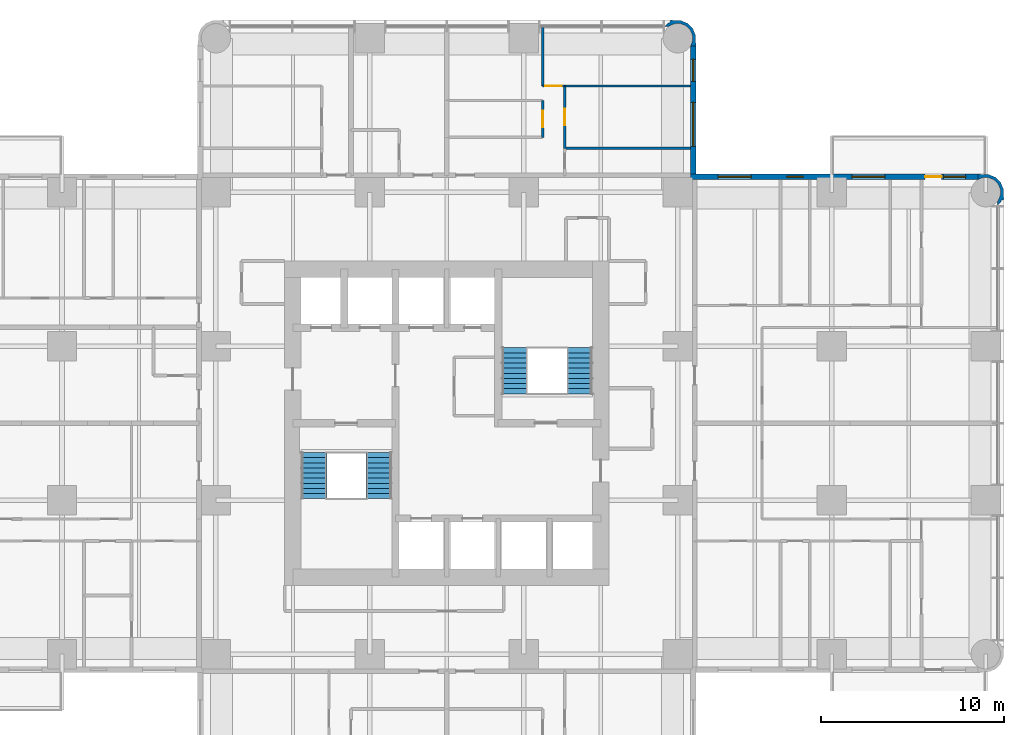
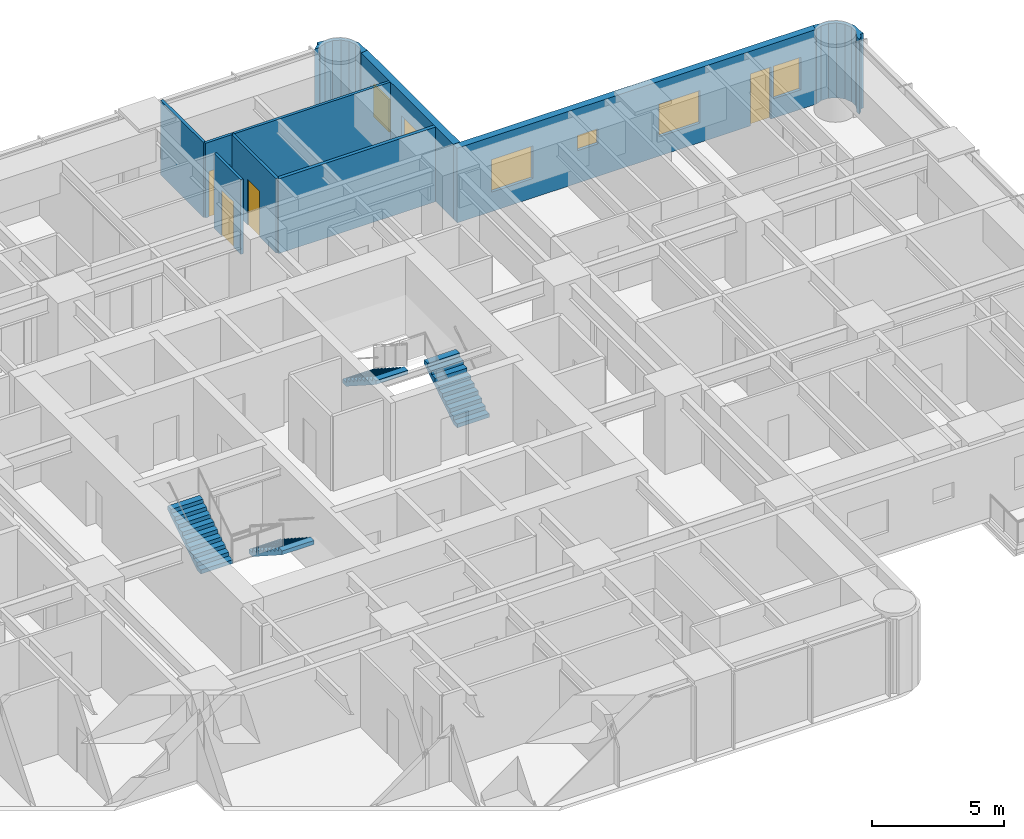
# One storey, part 12 of 14: 10 walls, 6 windows, 4 doors, 4 stair flights, 10 openings, 2 elements without a shape of their own.
"""IFC4 building model written with IfcOpenShell, lengths in metres."""

from ifc_helpers import new_model, si_unit, direction, frame, frame_2d, origin, place, context, subcontext, project, spatial, polyline, rectangle, outline, extrude, material, layer, layer_set, type_object, element, fill, aggregate, save


model = new_model("IFC4")

# Units and contexts
model_context = context("Model", 3, precision=1e-05, world=origin(), true_north=direction((0.0, 1.0)))
body_context = subcontext(model_context, "Body", "Model", "MODEL_VIEW")
ifc_project = project(units=[si_unit("LENGTHUNIT", "METRE"), si_unit("AREAUNIT", "SQUARE_METRE"), si_unit("VOLUMEUNIT", "CUBIC_METRE"), si_unit("PLANEANGLEUNIT", "RADIAN"), si_unit("MASSUNIT", "GRAM", prefix="KILO")], contexts=[model_context])

# Site, building, storey
site_placement = place(None, origin())
site = spatial("IfcSite", under=ifc_project, at=site_placement, CompositionType="ELEMENT")
building_placement = place(site_placement, origin())
building = spatial("IfcBuilding", under=site, at=building_placement, Name="Torre Alcanfor", CompositionType="ELEMENT")
storey_placement = place(building_placement, frame((0.0, 0.0, 130.5)))
storey = spatial("IfcBuildingStorey", under=building, at=storey_placement, Name="L33", CompositionType="ELEMENT", Elevation=130.5)

# Wall, opening, door
ifc_material_1 = material(Name="Gypsum board on steel studs", Category="steel")
ifc_layer_1 = layer(ifc_material_1, 0.1201171875)
ifc_layer_set_1 = layer_set([ifc_layer_1], Name="Apartment partition 120")
wall_type_1 = type_object("IfcWallType", Name="Apartment partition 120", PredefinedType="PARTITIONING", material=ifc_layer_set_1)
wall_1_placement = place(storey_placement, frame((34.62890625, 47.0, 0.0), z_axis=(0.0, 0.0, 1.0), x_axis=(0.0, -1.0, 0.0)))
wall_1 = element("IfcWall", 1, at=wall_1_placement, inside=storey, type_object=wall_type_1, Name="Partition L33-N2-KITCHEN / L33-N2-LIVING", PredefinedType="PARTITIONING", context=body_context, shape_type="SweptSolid", body=[
    extrude(rectangle(XDim=2.0, YDim=0.1201171875, at=frame_2d((1.0, 0.0))), origin(), (0.0, 0.0, 1.0), 3.449951171875),
])
opening_1_placement = place(wall_1_placement, frame((0.550048828125, 0.0, 0.0)))
opening_1 = element("IfcOpeningElement", 2, at=opening_1_placement, cuts=wall_1, Name="Opening D-R1", PredefinedType="OPENING", context=body_context, shape_type="SweptSolid", body=[
    extrude(rectangle(XDim=0.89990234375, YDim=2.10009765625, at=frame_2d((0.449951171875, 1.050048828125))), frame((0.0, 0.070068359375, 0.0), z_axis=(0.0, -1.0, 0.0), x_axis=(1.0, 0.0, 0.0)), (0.0, 0.0, 1.0), 0.14013671875),
])
ifc_material_2 = material(Name="Timber", Category="wood")
door_type_1 = type_object("IfcDoorType", Name="Internal door 900x2100", OperationType="SINGLE_SWING_LEFT", PredefinedType="DOOR", material=ifc_material_2)
door_1_placement = place(opening_1_placement, frame((0.89990234375, 0.0, 0.0), z_axis=(0.0, 0.0, 1.0), x_axis=(-1.0, 0.0, 0.0)))
door_1 = element("IfcDoor", 3, at=door_1_placement, inside=storey, type_object=door_type_1, Name="Door L33-N2 kitchen", OperationType="SINGLE_SWING_RIGHT", OverallHeight=2.10009765625, OverallWidth=0.89990234375, PredefinedType="DOOR", context=body_context, shape_type="SweptSolid", body=[
    extrude(rectangle(XDim=0.89990234375, YDim=2.10009765625, at=frame_2d((0.449951171875, 1.050048828125))), frame((0.0, 0.025146484375, 0.0), z_axis=(0.0, -1.0, 0.0), x_axis=(1.0, 0.0, 0.0)), (0.0, 0.0, 1.0), 0.050048828125),
])
fill(opening_1, door_1)

wall_2_placement = place(storey_placement, frame((35.8291015625, 47.800048828125, 0.0), z_axis=(0.0, 0.0, 1.0), x_axis=(0.0, -1.0, 0.0)))
wall_2 = element("IfcWall", 4, at=wall_2_placement, inside=storey, type_object=wall_type_1, Name="Partition L33-N2-LIVING / L33-N2-STUDY", PredefinedType="PARTITIONING", context=body_context, shape_type="SweptSolid", body=[
    extrude(rectangle(XDim=3.400146484375, YDim=0.1201171875, at=frame_2d((1.7001953125, 0.0))), origin(), (0.0, 0.0, 1.0), 3.449951171875),
])
opening_2_placement = place(wall_2_placement, frame((1.25, 0.0, 0.0)))
opening_2 = element("IfcOpeningElement", 5, at=opening_2_placement, cuts=wall_2, Name="Opening D-R1", PredefinedType="OPENING", context=body_context, shape_type="SweptSolid", body=[
    extrude(rectangle(XDim=0.89990234375, YDim=2.10009765625, at=frame_2d((0.449951171875, 1.050048828125))), frame((0.0, 0.070068359375, 0.0), z_axis=(0.0, -1.0, 0.0), x_axis=(1.0, 0.0, 0.0)), (0.0, 0.0, 1.0), 0.14013671875),
])
door_2_placement = place(opening_2_placement, origin())
door_2 = element("IfcDoor", 6, at=door_2_placement, inside=storey, type_object=door_type_1, Name="Door L33-N2 study", OperationType="SINGLE_SWING_LEFT", OverallHeight=2.10009765625, OverallWidth=0.89990234375, PredefinedType="DOOR", context=body_context, shape_type="SweptSolid", body=[
    extrude(rectangle(XDim=0.89990234375, YDim=2.10009765625, at=frame_2d((0.449951171875, 1.050048828125))), frame((0.0, 0.02490234375, 0.0), z_axis=(0.0, -1.0, 0.0), x_axis=(1.0, 0.0, 0.0)), (0.0, 0.0, 1.0), 0.050048828125),
])
fill(opening_2, door_2)

# Wall
wall_3_placement = place(storey_placement, frame((34.62890625, 51.050048828125, 0.0), z_axis=(0.0, 0.0, 1.0), x_axis=(0.0, -1.0, 0.0)))
element("IfcWall", 7, at=wall_3_placement, inside=storey, type_object=wall_type_1, Name="Partition L33-N2-LIVING / L33-N2-MASTER", PredefinedType="PARTITIONING", context=body_context, shape_type="SweptSolid", body=[
    extrude(rectangle(XDim=3.25, YDim=0.1201171875, at=frame_2d((1.625, 0.0))), origin(), (0.0, 0.0, 1.0), 3.449951171875),
])

# Wall, opening, door
wall_4_placement = place(storey_placement, frame((34.62890625, 47.800048828125, 0.0), z_axis=(0.0, 0.0, 1.0), x_axis=(1.0, 0.0, 0.0)))
wall_4 = element("IfcWall", 8, at=wall_4_placement, inside=storey, type_object=wall_type_1, Name="Partition L33-N2-LIVING / L33-N2-MASTER", PredefinedType="PARTITIONING", context=body_context, shape_type="SweptSolid", body=[
    extrude(rectangle(XDim=1.2001953125, YDim=0.1201171875, at=frame_2d((0.60009765625, 0.0))), origin(), (0.0, 0.0, 1.0), 3.449951171875),
])
opening_3_placement = place(wall_4_placement, frame((0.15087890625, 0.0, 0.0)))
opening_3 = element("IfcOpeningElement", 9, at=opening_3_placement, cuts=wall_4, Name="Opening D-R1", PredefinedType="OPENING", context=body_context, shape_type="SweptSolid", body=[
    extrude(rectangle(XDim=0.89990234375, YDim=2.10009765625, at=frame_2d((0.449951171875, 1.050048828125))), frame((0.0, 0.070068359375, 0.0), z_axis=(0.0, -1.0, 0.0), x_axis=(1.0, 0.0, 0.0)), (0.0, 0.0, 1.0), 0.14013671875),
])
door_3_placement = place(opening_3_placement, origin())
door_3 = element("IfcDoor", 10, at=door_3_placement, inside=storey, type_object=door_type_1, Name="Door L33-N2 master", OperationType="SINGLE_SWING_LEFT", OverallHeight=2.10009765625, OverallWidth=0.89990234375, PredefinedType="DOOR", context=body_context, shape_type="SweptSolid", body=[
    extrude(rectangle(XDim=0.89990234375, YDim=2.10009765625, at=frame_2d((0.449951171875, 1.050048828125))), frame((0.0, 0.02490234375, 0.0), z_axis=(0.0, -1.0, 0.0), x_axis=(1.0, 0.0, 0.0)), (0.0, 0.0, 1.0), 0.050048828125),
])
fill(opening_3, door_3)

# Wall
wall_5_placement = place(storey_placement, frame((35.8291015625, 47.800048828125, 0.0), z_axis=(0.0, 0.0, 1.0), x_axis=(1.0, 0.0, 0.0)))
element("IfcWall", 11, at=wall_5_placement, inside=storey, type_object=wall_type_1, Name="Partition L33-N2-STUDY / L33-N2-MASTER", PredefinedType="PARTITIONING", context=body_context, shape_type="SweptSolid", body=[
    extrude(rectangle(XDim=6.870849609375, YDim=0.1201171875, at=frame_2d((3.435546875, 0.0))), origin(), (0.0, 0.0, 1.0), 3.449951171875),
])

# Wall, openings, door, windows
ifc_material_3 = material(Name="Limestone cladding", Category="masonry")
ifc_layer_2 = layer(ifc_material_3, 0.0400390625, Name="Facing")
ifc_material_4 = material(Name="Ventilated air cavity")
ifc_layer_3 = layer(ifc_material_4, 0.02001953125, ventilated=True, Name="Ventilated joint")
ifc_material_5 = material(Name="Mineral wool insulation", Category="insulation")
ifc_layer_4 = layer(ifc_material_5, 0.10009765625, Name="Insulation")
ifc_material_6 = material(Name="Concrete f'c 35 MPa", Category="concrete")
ifc_layer_5 = layer(ifc_material_6, 0.139892578125, Name="Backing")
ifc_layer_set_2 = layer_set([ifc_layer_2, ifc_layer_3, ifc_layer_4, ifc_layer_5], Name="External wall stone-clad 300")
wall_type_2 = type_object("IfcWallType", Name="External wall stone-clad 300", PredefinedType="SOLIDWALL", material=ifc_layer_set_2)
wall_6_placement = place(storey_placement, frame((58.39990234375, 42.85009765625, 0.0), z_axis=(0.0, 0.0, 1.0), x_axis=(-1.0, 0.0, 0.0)))
wall_6 = element("IfcWall", 12, at=wall_6_placement, inside=storey, type_object=wall_type_2, Name="External wall L33 9", PredefinedType="SOLIDWALL", context=body_context, shape_type="SweptSolid", body=[
    extrude(rectangle(XDim=15.699951171875, YDim=0.300048828125, at=frame_2d((7.85009765625, 0.0))), origin(), (0.0, 0.0, 1.0), 3.449951171875),
])
opening_4_placement = place(wall_6_placement, frame((12.39990234375, 0.0, 0.89990234375)))
opening_4 = element("IfcOpeningElement", 13, at=opening_4_placement, cuts=wall_6, Name="Opening W2", PredefinedType="OPENING", context=body_context, shape_type="SweptSolid", body=[
    extrude(rectangle(XDim=1.800048828125, YDim=1.5, at=frame_2d((0.89990234375, 0.75))), frame((0.0, 0.159912109375, 0.0), z_axis=(0.0, -1.0, 0.0), x_axis=(1.0, 0.0, 0.0)), (0.0, 0.0, 1.0), 0.320068359375),
])
opening_5_placement = place(wall_6_placement, frame((9.550048828125, 0.0, 1.5)))
opening_5 = element("IfcOpeningElement", 14, at=opening_5_placement, cuts=wall_6, Name="Opening W3", PredefinedType="OPENING", context=body_context, shape_type="SweptSolid", body=[
    extrude(rectangle(XDim=0.89990234375, YDim=0.699951171875, at=frame_2d((0.449951171875, 0.35009765625))), frame((0.0, 0.159912109375, 0.0), z_axis=(0.0, -1.0, 0.0), x_axis=(1.0, 0.0, 0.0)), (0.0, 0.0, 1.0), 0.320068359375),
])
opening_6_placement = place(wall_6_placement, frame((5.10009765625, 0.0, 0.89990234375)))
opening_6 = element("IfcOpeningElement", 15, at=opening_6_placement, cuts=wall_6, Name="Opening W2", PredefinedType="OPENING", context=body_context, shape_type="SweptSolid", body=[
    extrude(rectangle(XDim=1.800048828125, YDim=1.5, at=frame_2d((0.89990234375, 0.75))), frame((0.0, 0.159912109375, 0.0), z_axis=(0.0, -1.0, 0.0), x_axis=(1.0, 0.0, 0.0)), (0.0, 0.0, 1.0), 0.320068359375),
])
opening_7_placement = place(wall_6_placement, frame((2.0, 0.0, 0.0)))
opening_7 = element("IfcOpeningElement", 16, at=opening_7_placement, cuts=wall_6, Name="Opening D-B1", PredefinedType="OPENING", context=body_context, shape_type="SweptSolid", body=[
    extrude(rectangle(XDim=0.89990234375, YDim=2.39990234375, at=frame_2d((0.449951171875, 1.199951171875))), frame((0.0, 0.159912109375, 0.0), z_axis=(0.0, -1.0, 0.0), x_axis=(1.0, 0.0, 0.0)), (0.0, 0.0, 1.0), 0.320068359375),
])
opening_8_placement = place(wall_6_placement, frame((0.699951171875, 0.0, 0.89990234375)))
opening_8 = element("IfcOpeningElement", 17, at=opening_8_placement, cuts=wall_6, Name="Opening W4", PredefinedType="OPENING", context=body_context, shape_type="SweptSolid", body=[
    extrude(rectangle(XDim=1.199951171875, YDim=1.5, at=frame_2d((0.60009765625, 0.75))), frame((0.0, 0.159912109375, 0.0), z_axis=(0.0, -1.0, 0.0), x_axis=(1.0, 0.0, 0.0)), (0.0, 0.0, 1.0), 0.320068359375),
])
ifc_material_7 = material(Name="Aluminium and glass", Category="aluminium")
door_type_2 = type_object("IfcDoorType", Name="Balcony door glazed 900x2400", OperationType="SINGLE_SWING_LEFT", PredefinedType="DOOR", material=ifc_material_7)
door_4_placement = place(opening_7_placement, origin())
door_4 = element("IfcDoor", 18, at=door_4_placement, inside=storey, type_object=door_type_2, Name="Balcony door L33-E1", OperationType="SINGLE_SWING_RIGHT", OverallHeight=2.39990234375, OverallWidth=0.89990234375, PredefinedType="DOOR", context=body_context, shape_type="SweptSolid", body=[
    extrude(rectangle(XDim=0.89990234375, YDim=2.39990234375, at=frame_2d((0.449951171875, 1.199951171875))), frame((0.0, 0.02490234375, 0.0), z_axis=(0.0, -1.0, 0.0), x_axis=(1.0, 0.0, 0.0)), (0.0, 0.0, 1.0), 0.050048828125),
])
fill(opening_7, door_4)
ifc_material_8 = material(Name="Aluminium frame with clear double glazing", Category="aluminium")
window_type_1 = type_object("IfcWindowType", Name="Window bathroom 900x700", PartitioningType="SINGLE_PANEL", PredefinedType="WINDOW", material=ifc_material_8)
window_1_placement = place(opening_5_placement, origin())
window_1 = element("IfcWindow", 19, at=window_1_placement, inside=storey, type_object=window_type_1, Name="Window W3 L33-E1", OverallHeight=0.699951171875, OverallWidth=0.89990234375, PartitioningType="SINGLE_PANEL", PredefinedType="WINDOW", context=body_context, shape_type="SweptSolid", body=[
    extrude(rectangle(XDim=0.89990234375, YDim=0.699951171875, at=frame_2d((0.449951171875, 0.35009765625))), frame((0.0, 0.030029296875, 0.0), z_axis=(0.0, -1.0, 0.0), x_axis=(1.0, 0.0, 0.0)), (0.0, 0.0, 1.0), 0.06005859375),
])
fill(opening_5, window_1)
ifc_material_9 = material(Name="Aluminium frame with clear double glazing", Category="aluminium")
window_type_2 = type_object("IfcWindowType", Name="Window bedroom 1200x1500", PartitioningType="SINGLE_PANEL", PredefinedType="WINDOW", material=ifc_material_9)
window_2_placement = place(opening_8_placement, origin())
window_2 = element("IfcWindow", 20, at=window_2_placement, inside=storey, type_object=window_type_2, Name="Window W4 L33-E1", OverallHeight=1.5, OverallWidth=1.199951171875, PartitioningType="SINGLE_PANEL", PredefinedType="WINDOW", context=body_context, shape_type="SweptSolid", body=[
    extrude(rectangle(XDim=1.199951171875, YDim=1.5, at=frame_2d((0.60009765625, 0.75))), frame((0.0, 0.030029296875, 0.0), z_axis=(0.0, -1.0, 0.0), x_axis=(1.0, 0.0, 0.0)), (0.0, 0.0, 1.0), 0.06005859375),
])
fill(opening_8, window_2)
ifc_material_10 = material(Name="Aluminium frame with clear double glazing", Category="aluminium")
window_type_3 = type_object("IfcWindowType", Name="Window bedroom 1800x1500", PartitioningType="SINGLE_PANEL", PredefinedType="WINDOW", material=ifc_material_10)
window_3_placement = place(opening_4_placement, origin())
window_3 = element("IfcWindow", 21, at=window_3_placement, inside=storey, type_object=window_type_3, Name="Window W2 L33-E1", OverallHeight=1.5, OverallWidth=1.800048828125, PartitioningType="SINGLE_PANEL", PredefinedType="WINDOW", context=body_context, shape_type="SweptSolid", body=[
    extrude(rectangle(XDim=1.800048828125, YDim=1.5, at=frame_2d((0.89990234375, 0.75))), frame((0.0, 0.030029296875, 0.0), z_axis=(0.0, -1.0, 0.0), x_axis=(1.0, 0.0, 0.0)), (0.0, 0.0, 1.0), 0.06005859375),
])
fill(opening_4, window_3)
window_4_placement = place(opening_6_placement, origin())
window_4 = element("IfcWindow", 22, at=window_4_placement, inside=storey, type_object=window_type_3, Name="Window W2 L33-E1", OverallHeight=1.5, OverallWidth=1.800048828125, PartitioningType="SINGLE_PANEL", PredefinedType="WINDOW", context=body_context, shape_type="SweptSolid", body=[
    extrude(rectangle(XDim=1.800048828125, YDim=1.5, at=frame_2d((0.89990234375, 0.75))), frame((0.0, 0.030029296875, 0.0), z_axis=(0.0, -1.0, 0.0), x_axis=(1.0, 0.0, 0.0)), (0.0, 0.0, 1.0), 0.06005859375),
])
fill(opening_6, window_4)

# Wall, openings, windows
wall_7_placement = place(storey_placement, frame((42.85009765625, 43.0, 0.0), z_axis=(0.0, 0.0, 1.0), x_axis=(0.0, 1.0, 0.0)))
wall_7 = element("IfcWall", 23, at=wall_7_placement, inside=storey, type_object=wall_type_2, Name="External wall L33 10", PredefinedType="SOLIDWALL", context=body_context, shape_type="SweptSolid", body=[
    extrude(rectangle(XDim=7.0, YDim=0.300048828125, at=frame_2d((3.5, 0.0))), origin(), (0.0, 0.0, 1.0), 3.449951171875),
])
opening_9_placement = place(wall_7_placement, frame((1.5, 0.0, 0.89990234375)))
opening_9 = element("IfcOpeningElement", 24, at=opening_9_placement, cuts=wall_7, Name="Opening W1", PredefinedType="OPENING", context=body_context, shape_type="SweptSolid", body=[
    extrude(rectangle(XDim=2.39990234375, YDim=1.5, at=frame_2d((1.199951171875, 0.75))), frame((0.0, 0.159912109375, 0.0), z_axis=(0.0, -1.0, 0.0), x_axis=(1.0, 0.0, 0.0)), (0.0, 0.0, 1.0), 0.320068359375),
])
opening_10_placement = place(wall_7_placement, frame((5.050048828125, 0.0, 0.89990234375)))
opening_10 = element("IfcOpeningElement", 25, at=opening_10_placement, cuts=wall_7, Name="Opening W4", PredefinedType="OPENING", context=body_context, shape_type="SweptSolid", body=[
    extrude(rectangle(XDim=1.199951171875, YDim=1.5, at=frame_2d((0.60009765625, 0.75))), frame((0.0, 0.159912109375, 0.0), z_axis=(0.0, -1.0, 0.0), x_axis=(1.0, 0.0, 0.0)), (0.0, 0.0, 1.0), 0.320068359375),
])
window_5_placement = place(opening_10_placement, origin())
window_5 = element("IfcWindow", 26, at=window_5_placement, inside=storey, type_object=window_type_2, Name="Window W4 L33-N2", OverallHeight=1.5, OverallWidth=1.199951171875, PartitioningType="SINGLE_PANEL", PredefinedType="WINDOW", context=body_context, shape_type="SweptSolid", body=[
    extrude(rectangle(XDim=1.199951171875, YDim=1.5, at=frame_2d((0.60009765625, 0.75))), frame((0.0, 0.030029296875, 0.0), z_axis=(0.0, -1.0, 0.0), x_axis=(1.0, 0.0, 0.0)), (0.0, 0.0, 1.0), 0.06005859375),
])
fill(opening_10, window_5)
ifc_material_11 = material(Name="Aluminium frame with clear double glazing", Category="aluminium")
window_type_4 = type_object("IfcWindowType", Name="Window bedroom 2400x1500", PartitioningType="SINGLE_PANEL", PredefinedType="WINDOW", material=ifc_material_11)
window_6_placement = place(opening_9_placement, origin())
window_6 = element("IfcWindow", 27, at=window_6_placement, inside=storey, type_object=window_type_4, Name="Window W1 L33-N2", OverallHeight=1.5, OverallWidth=2.39990234375, PartitioningType="SINGLE_PANEL", PredefinedType="WINDOW", context=body_context, shape_type="SweptSolid", body=[
    extrude(rectangle(XDim=2.39990234375, YDim=1.5, at=frame_2d((1.199951171875, 0.75))), frame((0.0, 0.030029296875, 0.0), z_axis=(0.0, -1.0, 0.0), x_axis=(1.0, 0.0, 0.0)), (0.0, 0.0, 1.0), 0.06005859375),
])
fill(opening_9, window_6)

# Walls
ifc_layer_6 = layer(ifc_material_3, 0.0400390625, Name="Facing")
ifc_layer_7 = layer(ifc_material_4, 0.02001953125, ventilated=True, Name="Ventilated joint")
ifc_layer_8 = layer(ifc_material_5, 0.10009765625, Name="Insulation")
ifc_layer_9 = layer(ifc_material_6, 0.139892578125, Name="Backing")
ifc_layer_set_3 = layer_set([ifc_layer_6, ifc_layer_7, ifc_layer_8, ifc_layer_9], Name="Rounded corner pier stone-clad 300")
wall_type_3 = type_object("IfcWallType", Name="Rounded corner pier stone-clad 300", PredefinedType="SOLIDWALL", material=ifc_layer_set_3)
wall_8_placement = place(storey_placement, frame((59.395317512, 41.351928198, 0.0), z_axis=(0.0, 0.0, 1.0), x_axis=(0.93923434088, 0.343276641956, 0.0)))
element("IfcWall", 28, at=wall_8_placement, inside=storey, type_object=wall_type_3, Name="Corner pier L33 18", PredefinedType="SOLIDWALL", context=body_context, shape_type="SweptSolid", body=[
    extrude(outline(polyline([(0.5319791374717469, 0.3931546875748424), (0.6305370795958255, 0.662817672163305), (0.614285462759775, 1.044364627998893), (0.4533652442516045, 1.3906676424071163), (0.17222000156622597, 1.6491237258576117), (-0.09744298302223653, 1.7476816679816904), (-0.36918355555989557, 1.8896284089825286), (-0.509101456401082, 1.6213052972671853), (-0.49052773042177455, 1.6145168675800676), (-0.47941981662998623, 1.6086375342973744), (-0.2113919059229058, 1.6201101578142136), (0.08785145707704622, 1.5107410128550955), (0.32257352025202113, 1.2952455132706726), (0.4567838912150332, 1.0060128786275908), (0.47036434537540095, 0.687566849311498), (0.36107900819019806, 0.38855279157054984), (0.14535420334677107, 0.1539145361694899), (0.10800994465551556, 0.13637103018492347), (0.030906792653685306, -0.07458980809856762), (0.2410056377422186, 0.023039004395991533), (0.3334055822831027, 0.12365495968313633), (0.46532832919806827, 0.0941544704520565), (0.5319791374717469, 0.3931546875748424)])), origin(), (0.0, 0.0, 1.0), 3.449951171875),
])
wall_9_placement = place(storey_placement, frame((42.817059488, 50.073176205, 0.0), z_axis=(0.0, 0.0, 1.0), x_axis=(0.343276641956, 0.93923434088, 0.0)))
element("IfcWall", 29, at=wall_9_placement, inside=storey, type_object=wall_type_3, Name="Corner pier L33 19", PredefinedType="SOLIDWALL", context=body_context, shape_type="SweptSolid", body=[
    extrude(outline(polyline([(0.2655808672444785, -0.0550807599050476), (0.5354731570919448, 0.04356098999294611), (0.8166183997773234, 0.30201707344344164), (0.9775386182854939, 0.6483200878516648), (0.9937902351215443, 1.0298670436872528), (0.8952322929974657, 1.2995300282757154), (0.8283521794647835, 1.5984464376245864), (0.6966587378088214, 1.5690297561674216), (0.6042587932679374, 1.6696457114545662), (0.39415994817940425, 1.7672745239491254), (0.47126310018123446, 1.5563136856656343), (0.50860735887249, 1.538770179681068), (0.7241028584569131, 1.304048116506093), (0.833388195642116, 1.0050340587651447), (0.8200370467407522, 0.686671837222967), (0.68582667577774, 0.3974392025798854), (0.4511046126027651, 0.18194370299546214), (0.15186124960281305, 0.07257455803634424), (-0.11616666110426738, 0.08404718155318341), (-0.12750388015505948, 0.07808404049657515), (-0.14607760613436685, 0.07129561080945748), (-0.0059304000341767055, -0.19694369313197083), (0.2655808672444785, -0.0550807599050476)])), origin(), (0.0, 0.0, 1.0), 3.449951171875),
])
ifc_material_12 = material(Name="Cement board on steel studs", Category="steel")
ifc_layer_10 = layer(ifc_material_12, 0.14990234375)
ifc_layer_set_4 = layer_set([ifc_layer_10], Name="Wet area partition 150")
wall_type_4 = type_object("IfcWallType", Name="Wet area partition 150", PredefinedType="PARTITIONING", material=ifc_layer_set_4)
wall_10_placement = place(storey_placement, frame((35.8291015625, 44.39990234375, 0.0), z_axis=(0.0, 0.0, 1.0), x_axis=(1.0, 0.0, 0.0)))
element("IfcWall", 30, at=wall_10_placement, inside=storey, type_object=wall_type_4, Name="Partition L33-N2-BATH / L33-N2-STUDY", PredefinedType="PARTITIONING", context=body_context, shape_type="SweptSolid", body=[
    extrude(rectangle(XDim=6.870849609375, YDim=0.14990234375, at=frame_2d((3.435546875, 0.0))), origin(), (0.0, 0.0, 1.0), 3.449951171875),
])

# Stair, stair flights
ifc_material_13 = material(Name="Concrete f'c 35 MPa", Category="concrete")
stair_type_1 = type_object("IfcStairType", Name="Exit stair S1 1400 wide", PredefinedType="HALF_TURN_STAIR", material=ifc_material_13)
stair_1_placement = place(storey_placement, origin())
stair_1 = element("IfcStair", 31, at=stair_1_placement, inside=storey, type_object=stair_type_1, Name="Stair S1 L33 to L34", PredefinedType="HALF_TURN_STAIR")
ifc_material_14 = material(Name="Concrete f'c 35 MPa", Category="concrete")
stair_flight_type = type_object("IfcStairFlightType", Name="Stair flight 1400", PredefinedType="STRAIGHT", material=ifc_material_14)
stair_flight_1_placement = place(storey_placement, frame((25.699951171875, 27.800048828125, 0.0), z_axis=(0.0, 0.0, 1.0), x_axis=(0.0, -1.0, 0.0)))
stair_flight_1 = element("IfcStairFlight", 32, at=stair_flight_1_placement, type_object=stair_flight_type, Name="S1 flight 1", NumberOfRisers=10, NumberOfTreads=9, PredefinedType="STRAIGHT", RiserHeight=0.18, TreadLength=0.28, context=body_context, shape_type="SweptSolid", body=[
    extrude(outline(polyline([(0.0, 0.0), (0.0, 0.179931640625), (0.280029296875, 0.179931640625), (0.280029296875, 0.360107421875), (0.56005859375, 0.360107421875), (0.56005859375, 0.5400390625), (0.840087890625, 0.5400390625), (0.840087890625, 0.719970703125), (1.1201171875, 0.719970703125), (1.1201171875, 0.89990234375), (1.39990234375, 0.89990234375), (1.39990234375, 1.080078125), (1.679931640625, 1.080078125), (1.679931640625, 1.260009765625), (1.9599609375, 1.260009765625), (1.9599609375, 1.43994140625), (2.239990234375, 1.43994140625), (2.239990234375, 1.6201171875), (2.52001953125, 1.6201171875), (2.52001953125, 1.800048828125), (2.52001953125, 1.44189453125), (0.277099609375, 0.0), (0.0, 0.0)])), frame((0.0, 0.699951171875, 0.0), z_axis=(0.0, -1.0, 0.0), x_axis=(1.0, 0.0, 0.0)), (0.0, 0.0, 1.0), 1.39990234375),
])
stair_flight_2_placement = place(storey_placement, frame((22.14990234375, 25.280029296875, 1.800048828125), z_axis=(0.0, 0.0, 1.0), x_axis=(0.0, 1.0, 0.0)))
stair_flight_2 = element("IfcStairFlight", 33, at=stair_flight_2_placement, type_object=stair_flight_type, Name="S1 flight 2", NumberOfRisers=10, NumberOfTreads=9, PredefinedType="STRAIGHT", RiserHeight=0.18, TreadLength=0.28, context=body_context, shape_type="SweptSolid", body=[
    extrude(outline(polyline([(0.0, 0.0), (0.0, 0.179931640625), (0.280029296875, 0.179931640625), (0.280029296875, 0.360107421875), (0.56005859375, 0.360107421875), (0.56005859375, 0.5400390625), (0.840087890625, 0.5400390625), (0.840087890625, 0.719970703125), (1.1201171875, 0.719970703125), (1.1201171875, 0.89990234375), (1.39990234375, 0.89990234375), (1.39990234375, 1.080078125), (1.679931640625, 1.080078125), (1.679931640625, 1.260009765625), (1.9599609375, 1.260009765625), (1.9599609375, 1.43994140625), (2.239990234375, 1.43994140625), (2.239990234375, 1.6201171875), (2.52001953125, 1.6201171875), (2.52001953125, 1.800048828125), (2.52001953125, 1.44189453125), (0.277099609375, 0.0), (0.0, 0.0)])), frame((0.0, 0.699951171875, 0.0), z_axis=(0.0, -1.0, 0.0), x_axis=(1.0, 0.0, 0.0)), (0.0, 0.0, 1.0), 1.39990234375),
])
aggregate(stair_1, [stair_flight_1, stair_flight_2])

ifc_material_15 = material(Name="Concrete f'c 35 MPa", Category="concrete")
stair_type_2 = type_object("IfcStairType", Name="Exit stair S2 1400 wide", PredefinedType="HALF_TURN_STAIR", material=ifc_material_15)
stair_2_placement = place(storey_placement, origin())
stair_2 = element("IfcStair", 34, at=stair_2_placement, inside=storey, type_object=stair_type_2, Name="Stair S2 L33 to L34", PredefinedType="HALF_TURN_STAIR")
stair_flight_3_placement = place(storey_placement, frame((36.64990234375, 31.0, 0.0), z_axis=(0.0, 0.0, 1.0), x_axis=(0.0, 1.0, 0.0)))
stair_flight_3 = element("IfcStairFlight", 35, at=stair_flight_3_placement, type_object=stair_flight_type, Name="S2 flight 1", NumberOfRisers=10, NumberOfTreads=9, PredefinedType="STRAIGHT", RiserHeight=0.18, TreadLength=0.28, context=body_context, shape_type="SweptSolid", body=[
    extrude(outline(polyline([(0.0, 0.0), (0.0, 0.179931640625), (0.280029296875, 0.179931640625), (0.280029296875, 0.360107421875), (0.56005859375, 0.360107421875), (0.56005859375, 0.5400390625), (0.840087890625, 0.5400390625), (0.840087890625, 0.719970703125), (1.1201171875, 0.719970703125), (1.1201171875, 0.89990234375), (1.39990234375, 0.89990234375), (1.39990234375, 1.080078125), (1.679931640625, 1.080078125), (1.679931640625, 1.260009765625), (1.9599609375, 1.260009765625), (1.9599609375, 1.43994140625), (2.239990234375, 1.43994140625), (2.239990234375, 1.6201171875), (2.52001953125, 1.6201171875), (2.52001953125, 1.800048828125), (2.52001953125, 1.44189453125), (0.277099609375, 0.0), (0.0, 0.0)])), frame((0.0, 0.699951171875, 0.0), z_axis=(0.0, -1.0, 0.0), x_axis=(1.0, 0.0, 0.0)), (0.0, 0.0, 1.0), 1.39990234375),
])
stair_flight_4_placement = place(storey_placement, frame((33.10009765625, 33.52001953125, 1.800048828125), z_axis=(0.0, 0.0, 1.0), x_axis=(0.0, -1.0, 0.0)))
stair_flight_4 = element("IfcStairFlight", 36, at=stair_flight_4_placement, type_object=stair_flight_type, Name="S2 flight 2", NumberOfRisers=10, NumberOfTreads=9, PredefinedType="STRAIGHT", RiserHeight=0.18, TreadLength=0.28, context=body_context, shape_type="SweptSolid", body=[
    extrude(outline(polyline([(0.0, 0.0), (0.0, 0.179931640625), (0.280029296875, 0.179931640625), (0.280029296875, 0.360107421875), (0.56005859375, 0.360107421875), (0.56005859375, 0.5400390625), (0.840087890625, 0.5400390625), (0.840087890625, 0.719970703125), (1.1201171875, 0.719970703125), (1.1201171875, 0.89990234375), (1.39990234375, 0.89990234375), (1.39990234375, 1.080078125), (1.679931640625, 1.080078125), (1.679931640625, 1.260009765625), (1.9599609375, 1.260009765625), (1.9599609375, 1.43994140625), (2.239990234375, 1.43994140625), (2.239990234375, 1.6201171875), (2.52001953125, 1.6201171875), (2.52001953125, 1.800048828125), (2.52001953125, 1.44189453125), (0.277099609375, 0.0), (0.0, 0.0)])), frame((0.0, 0.699951171875, 0.0), z_axis=(0.0, -1.0, 0.0), x_axis=(1.0, 0.0, 0.0)), (0.0, 0.0, 1.0), 1.39990234375),
])
aggregate(stair_2, [stair_flight_3, stair_flight_4])

save(model, "model.ifc")
